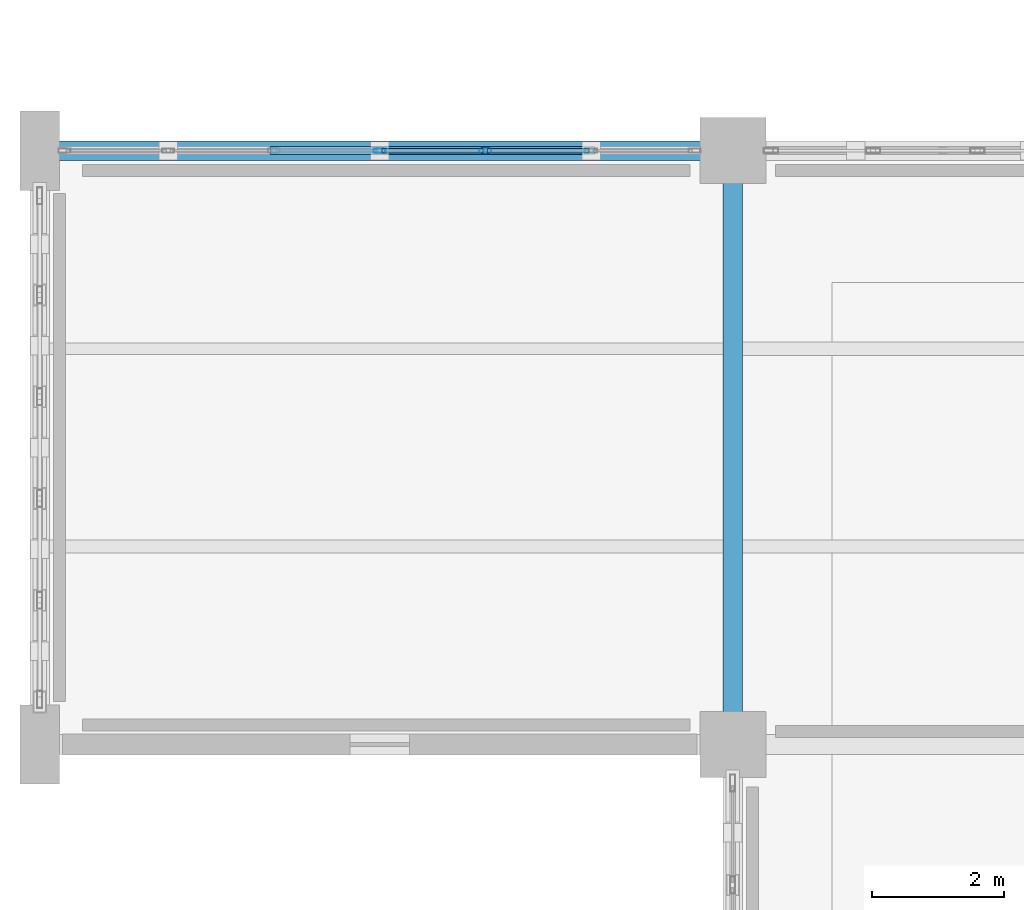
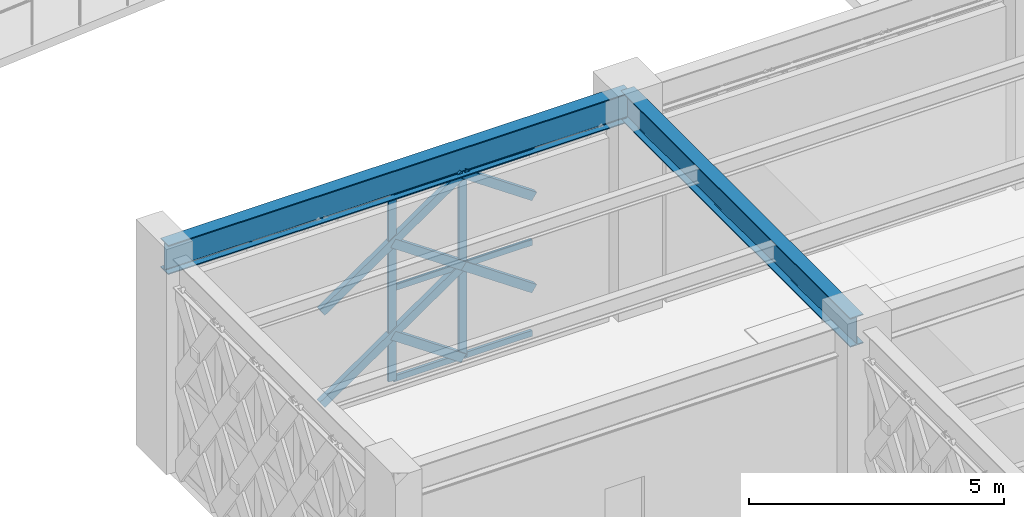
# One storey, part 13 of 140: 14 members, 2 beams, 1 element without a shape of its own.
"""IFC4 building model written with IfcOpenShell, lengths in metres."""

from ifc_helpers import new_model, si_unit, direction, frame, origin, origin_2d, place, context, subcontext, project, spatial, hollow_rectangle, i_section, extrude, material, material_profile, profile_set, type_object, element, aggregate, save


model = new_model("IFC4")

# Units and contexts
model_context = context("Model", 3, precision=1e-05, world=origin(), true_north=direction((0.0, 1.0)))
body_context = subcontext(model_context, "Body", "Model", "MODEL_VIEW")
ifc_project = project(units=[si_unit("LENGTHUNIT", "METRE"), si_unit("AREAUNIT", "SQUARE_METRE"), si_unit("VOLUMEUNIT", "CUBIC_METRE"), si_unit("PLANEANGLEUNIT", "RADIAN"), si_unit("MASSUNIT", "GRAM", prefix="KILO")], contexts=[model_context])

# Site, building, storey
site_placement = place(None, origin())
site = spatial("IfcSite", under=ifc_project, at=site_placement, CompositionType="ELEMENT")
building_placement = place(site_placement, origin())
building = spatial("IfcBuilding", under=site, at=building_placement, Name="Haizhuo Lancet Aquarium", CompositionType="ELEMENT")
storey_placement = place(building_placement, origin())
storey = spatial("IfcBuildingStorey", under=building, at=storey_placement, Name="L00", CompositionType="ELEMENT", Elevation=0.0)

# Beams
ifc_material_1 = material(Name="Steel S355", Category="steel")
ifc_material_profile_1 = material_profile(ifc_material_1, i_section(OverallWidth=0.300048828125, OverallDepth=0.699951171875, WebThickness=0.012939453125, FlangeThickness=0.02392578125, FilletRadius=0.02587890625, at=origin_2d()), Name="HN 700x300x13x24")
ifc_profile_set_1 = profile_set([ifc_material_profile_1], Name="Steel S355")
beam_type = type_object("IfcBeamType", Name="BM-ST-HN700", PredefinedType="BEAM", material=ifc_profile_set_1)
beam_1_placement = place(storey_placement, frame((-82.5, -9.0, 4.77001953125), z_axis=(1.0, 0.0, 0.0), x_axis=(0.0, 1.0, 0.0)))
element("IfcBeam", 1, at=beam_1_placement, inside=storey, type_object=beam_type, Name="L00 V6 primary girder BM-L00-V6-003", PredefinedType="BEAM", context=body_context, shape_type="SweptSolid", body=[
    extrude(i_section(OverallWidth=0.300048828125, OverallDepth=0.699951171875, WebThickness=0.012939453125, FlangeThickness=0.02392578125, FilletRadius=0.02587890625, at=origin_2d()), origin(), (0.0, 0.0, 1.0), 10.5),
])
beam_2_placement = place(storey_placement, frame((-72.0, -18.0, 4.77001953125), z_axis=(0.0, 1.0, 0.0), x_axis=(-1.0, 0.0, 0.0)))
element("IfcBeam", 2, at=beam_2_placement, inside=storey, type_object=beam_type, Name="L00 V6 primary girder BM-L00-V6-006", PredefinedType="BEAM", context=body_context, shape_type="SweptSolid", body=[
    extrude(i_section(OverallWidth=0.300048828125, OverallDepth=0.699951171875, WebThickness=0.012939453125, FlangeThickness=0.02392578125, FilletRadius=0.02587890625, at=origin_2d()), origin(), (0.0, 0.0, 1.0), 9.0),
])

# Curtain wall, members
ifc_material_2 = material(Name="Aluminium 6063-T6", Category="aluminium")
curtain_wall_type = type_object("IfcCurtainWallType", Name="CWO-9610x4420", PredefinedType="NOTDEFINED", material=ifc_material_2)
curtain_wall_placement = place(storey_placement, origin())
curtain_wall = element("IfcCurtainWall", 3, at=curtain_wall_placement, inside=storey, type_object=curtain_wall_type, Name="L00 curtain wall CW-V6-L00-193", PredefinedType="NOTDEFINED")
ifc_material_profile_2 = material_profile(ifc_material_2, hollow_rectangle(XDim=0.06494140625, YDim=0.179931640625, WallThickness=0.00390625, at=origin_2d()), Name="ALU-M 65x180x4")
ifc_profile_set_2 = profile_set([ifc_material_profile_2], Name="Aluminium 6063-T6")
member_type_1 = type_object("IfcMemberType", Name="CW-MUL-1", PredefinedType="MULLION", material=ifc_profile_set_2)
member_1_placement = place(storey_placement, frame((-77.35009765625, -9.0, 0.0), z_axis=(0.0, 0.0, 1.0), x_axis=(0.0, 1.0, 0.0)))
member_1 = element("IfcMember", 4, at=member_1_placement, type_object=member_type_1, Name="CWO-96x44 mullion 4", PredefinedType="MULLION", context=body_context, shape_type="SweptSolid", body=[
    extrude(hollow_rectangle(XDim=0.06494140625, YDim=0.179931640625, WallThickness=0.00390625, at=origin_2d()), origin(), (0.0, 0.0, 1.0), 4.419921875),
])
member_2_placement = place(storey_placement, frame((-75.748046875, -9.0, 0.0), z_axis=(0.0, 0.0, 1.0), x_axis=(0.0, 1.0, 0.0)))
member_2 = element("IfcMember", 5, at=member_2_placement, type_object=member_type_1, Name="CWO-96x44 mullion 5", PredefinedType="MULLION", context=body_context, shape_type="SweptSolid", body=[
    extrude(hollow_rectangle(XDim=0.06494140625, YDim=0.179931640625, WallThickness=0.00390625, at=origin_2d()), origin(), (0.0, 0.0, 1.0), 4.419921875),
])
ifc_material_profile_3 = material_profile(ifc_material_2, hollow_rectangle(XDim=0.06494140625, YDim=0.139892578125, WallThickness=0.00390625, at=origin_2d()), Name="ALU-T 65x140x4")
ifc_profile_set_3 = profile_set([ifc_material_profile_3], Name="Aluminium 6063-T6")
member_type_2 = type_object("IfcMemberType", Name="CW-TRN-1", PredefinedType="NOTDEFINED", material=ifc_profile_set_3)
member_3_placement = place(storey_placement, frame((-77.31689453125, -9.0, 0.032958984375), z_axis=(1.0, 0.0, 0.0), x_axis=(0.0, 1.0, 0.0)))
member_3 = element("IfcMember", 6, at=member_3_placement, type_object=member_type_2, Name="CWO-96x44 transom 4.1", ObjectType="TRANSOM", PredefinedType="USERDEFINED", context=body_context, shape_type="SweptSolid", body=[
    extrude(hollow_rectangle(XDim=0.06494140625, YDim=0.139892578125, WallThickness=0.00390625, at=origin_2d()), origin(), (0.0, 0.0, 1.0), 1.535888671875),
])
member_4_placement = place(storey_placement, frame((-77.31689453125, -9.0, 2.2099609375), z_axis=(1.0, 0.0, 0.0), x_axis=(0.0, 1.0, 0.0)))
member_4 = element("IfcMember", 7, at=member_4_placement, type_object=member_type_2, Name="CWO-96x44 transom 4.2", ObjectType="TRANSOM", PredefinedType="USERDEFINED", context=body_context, shape_type="SweptSolid", body=[
    extrude(hollow_rectangle(XDim=0.06494140625, YDim=0.139892578125, WallThickness=0.00390625, at=origin_2d()), origin(), (0.0, 0.0, 1.0), 1.535888671875),
])
member_5_placement = place(storey_placement, frame((-77.31689453125, -9.0, 4.387939453125), z_axis=(1.0, 0.0, 0.0), x_axis=(0.0, 1.0, 0.0)))
member_5 = element("IfcMember", 8, at=member_5_placement, type_object=member_type_2, Name="CWO-96x44 transom 4.3", ObjectType="TRANSOM", PredefinedType="USERDEFINED", context=body_context, shape_type="SweptSolid", body=[
    extrude(hollow_rectangle(XDim=0.06494140625, YDim=0.139892578125, WallThickness=0.00390625, at=origin_2d()), origin(), (0.0, 0.0, 1.0), 1.535888671875),
])
member_6_placement = place(storey_placement, frame((-75.716064453125, -9.0, 0.032958984375), z_axis=(1.0, 0.0, 0.0), x_axis=(0.0, 1.0, 0.0)))
member_6 = element("IfcMember", 9, at=member_6_placement, type_object=member_type_2, Name="CWO-96x44 transom 5.1", ObjectType="TRANSOM", PredefinedType="USERDEFINED", context=body_context, shape_type="SweptSolid", body=[
    extrude(hollow_rectangle(XDim=0.06494140625, YDim=0.139892578125, WallThickness=0.00390625, at=origin_2d()), origin(), (0.0, 0.0, 1.0), 1.537109375),
])
member_7_placement = place(storey_placement, frame((-75.716064453125, -9.0, 2.2099609375), z_axis=(1.0, 0.0, 0.0), x_axis=(0.0, 1.0, 0.0)))
member_7 = element("IfcMember", 10, at=member_7_placement, type_object=member_type_2, Name="CWO-96x44 transom 5.2", ObjectType="TRANSOM", PredefinedType="USERDEFINED", context=body_context, shape_type="SweptSolid", body=[
    extrude(hollow_rectangle(XDim=0.06494140625, YDim=0.139892578125, WallThickness=0.00390625, at=origin_2d()), origin(), (0.0, 0.0, 1.0), 1.537109375),
])
member_8_placement = place(storey_placement, frame((-75.716064453125, -9.0, 4.387939453125), z_axis=(1.0, 0.0, 0.0), x_axis=(0.0, 1.0, 0.0)))
member_8 = element("IfcMember", 11, at=member_8_placement, type_object=member_type_2, Name="CWO-96x44 transom 5.3", ObjectType="TRANSOM", PredefinedType="USERDEFINED", context=body_context, shape_type="SweptSolid", body=[
    extrude(hollow_rectangle(XDim=0.06494140625, YDim=0.139892578125, WallThickness=0.00390625, at=origin_2d()), origin(), (0.0, 0.0, 1.0), 1.537109375),
])
aggregate(curtain_wall, [member_1, member_2, member_3, member_4, member_5, member_6, member_7, member_8])

# Members
ifc_material_profile_4 = material_profile(ifc_material_1, hollow_rectangle(XDim=0.1201171875, YDim=0.199951171875, WallThickness=0.008056640625, at=origin_2d()), Name="RHS 120x200x8")
ifc_profile_set_4 = profile_set([ifc_material_profile_4], Name="Steel S355")
member_type_3 = type_object("IfcMemberType", Name="MEM-LB-RHS120x200", PredefinedType="BRACE", material=ifc_profile_set_4)
member_9_placement = place(storey_placement, frame((-78.951904296875, -9.0, 0.0), z_axis=(0.823164259329, 0.0, 0.56780331292), x_axis=(0.0, 1.0, 0.0)))
element("IfcMember", 12, at=member_9_placement, inside=storey, type_object=member_type_3, Name="Gothic lancet continuous diagonal brace CW-V6-L00-193 3A", PredefinedType="BRACE", context=body_context, shape_type="SweptSolid", body=[
    extrude(hollow_rectangle(XDim=0.1201171875, YDim=0.199951171875, WallThickness=0.008056640625, at=origin_2d()), origin(), (0.0, 0.0, 1.0), 3.89208984375),
])
member_10_placement = place(storey_placement, frame((-75.748046875, -9.0, 0.0), z_axis=(-0.823184480933, 0.0, 0.56777399584), x_axis=(0.0, -1.0, 0.0)))
element("IfcMember", 13, at=member_10_placement, inside=storey, type_object=member_type_3, Name="Gothic lancet split diagonal brace CW-V6-L00-193 3B1", PredefinedType="BRACE", context=body_context, shape_type="SweptSolid", body=[
    extrude(hollow_rectangle(XDim=0.1201171875, YDim=0.199951171875, WallThickness=0.008056640625, at=origin_2d()), origin(), (0.0, 0.0, 1.0), 1.946044921875),
])
member_11_placement = place(storey_placement, frame((-78.951904296875, -9.0, 2.2099609375), z_axis=(0.823164259329, 0.0, 0.56780331292), x_axis=(0.0, 1.0, 0.0)))
element("IfcMember", 14, at=member_11_placement, inside=storey, type_object=member_type_3, Name="Gothic lancet continuous diagonal brace CW-V6-L00-193 4A", PredefinedType="BRACE", context=body_context, shape_type="SweptSolid", body=[
    extrude(hollow_rectangle(XDim=0.1201171875, YDim=0.199951171875, WallThickness=0.008056640625, at=origin_2d()), origin(), (0.0, 0.0, 1.0), 3.89208984375),
])
member_12_placement = place(storey_placement, frame((-75.748046875, -9.0, 2.2099609375), z_axis=(-0.823184480933, 0.0, 0.56777399584), x_axis=(0.0, -1.0, 0.0)))
element("IfcMember", 15, at=member_12_placement, inside=storey, type_object=member_type_3, Name="Gothic lancet split diagonal brace CW-V6-L00-193 4B1", PredefinedType="BRACE", context=body_context, shape_type="SweptSolid", body=[
    extrude(hollow_rectangle(XDim=0.1201171875, YDim=0.199951171875, WallThickness=0.008056640625, at=origin_2d()), origin(), (0.0, 0.0, 1.0), 1.946044921875),
])
for number, where, z_axis, x_axis, name in (
    (16, (-74.14697265625, -9.0, 1.10498046875), (-0.823022620361, 0.0, 0.568008597096), (0.0, -1.0, 0.0), "Gothic lancet split diagonal brace CW-V6-L00-193 5B2"),
    (17, (-74.14697265625, -9.0, 3.31494140625), (-0.823022620361, 0.0, 0.568008597096), (0.0, -1.0, 0.0), "Gothic lancet split diagonal brace CW-V6-L00-193 6B2"),
):
    element("IfcMember", number, at=place(storey_placement, frame(where, z_axis=z_axis, x_axis=x_axis)), inside=storey, type_object=member_type_3, Name=name, PredefinedType="BRACE", context=body_context, shape_type="SweptSolid", body=[
        extrude(hollow_rectangle(XDim=0.1201171875, YDim=0.199951171875, WallThickness=0.008056640625, at=origin_2d()), origin(), (0.0, 0.0, 1.0), 1.9453125),
    ])

save(model, "model.ifc")
